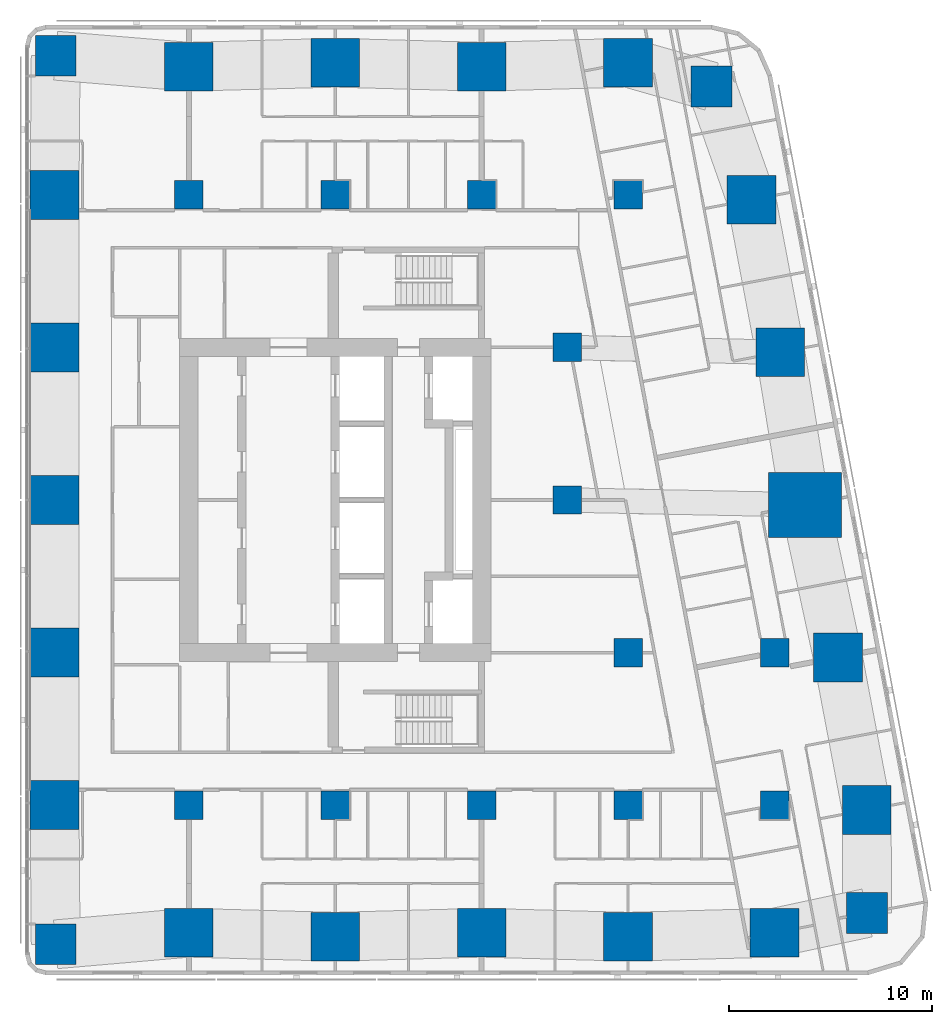
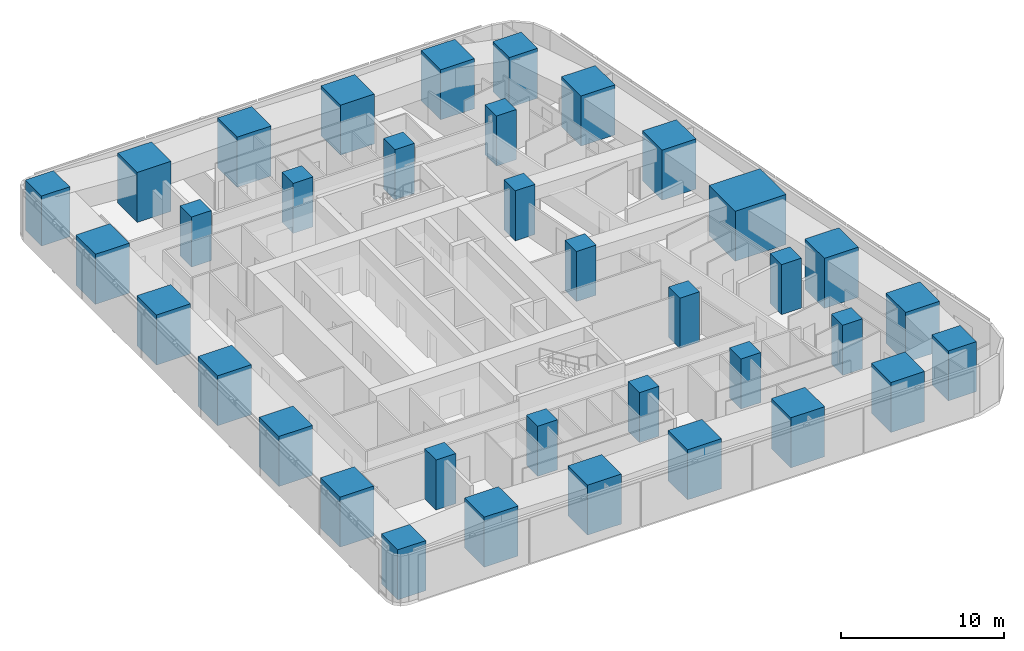
# One storey, part 1 of 19: 36 columns.
"""IFC4 building model written with IfcOpenShell, lengths in metres."""

from ifc_helpers import new_model, si_unit, direction, frame, origin, origin_2d, place, context, subcontext, project, spatial, rectangle, extrude, material, material_profile, profile_set, type_object, element, save


model = new_model("IFC4")

# Units and contexts
model_context = context("Model", 3, precision=1e-05, world=origin(), true_north=direction((0.0, 1.0)))
body_context = subcontext(model_context, "Body", "Model", "MODEL_VIEW")
ifc_project = project(units=[si_unit("LENGTHUNIT", "METRE"), si_unit("AREAUNIT", "SQUARE_METRE"), si_unit("VOLUMEUNIT", "CUBIC_METRE"), si_unit("PLANEANGLEUNIT", "RADIAN"), si_unit("MASSUNIT", "GRAM", prefix="KILO")], contexts=[model_context])

# Site, building, storey
site_placement = place(None, origin())
site = spatial("IfcSite", under=ifc_project, at=site_placement, CompositionType="ELEMENT")
building_placement = place(site_placement, origin())
building = spatial("IfcBuilding", under=site, at=building_placement, Name="Sheger Commons Tower", CompositionType="ELEMENT")
storey_placement = place(building_placement, frame((0.0, 0.0, 197.449951171875)))
storey = spatial("IfcBuildingStorey", under=building, at=storey_placement, Name="L50", CompositionType="ELEMENT", Elevation=197.449951171875)

# Columns
ifc_material_1 = material(Name="Concrete C50/60", Category="concrete")
ifc_material_profile_1 = material_profile(ifc_material_1, rectangle(XDim=3.60009765625, YDim=3.199951171875, at=origin_2d()), Name="RC 3600x3200")
ifc_profile_set_1 = profile_set([ifc_material_profile_1], Name="Concrete C50/60")
column_type_1 = type_object("IfcColumnType", Name="COLUMN PIER RC 3600x3200", PredefinedType="COLUMN", material=ifc_profile_set_1)
column_placement = place(storey_placement, frame((44.697021484375, 22.262939453125, 0.0), z_axis=(0.0, 0.0, 1.0), x_axis=(1.0, 0.0, 0.0)))
element("IfcColumn", 1, at=column_placement, inside=storey, type_object=column_type_1, Name="Pier 7/D+E/D L50", PredefinedType="COLUMN", context=body_context, shape_type="SweptSolid", body=[
    extrude(rectangle(XDim=3.60009765625, YDim=3.199951171875, at=origin_2d()), origin(), (0.0, 0.0, 1.0), 3.75),
])
ifc_material_2 = material(Name="Concrete C50/60", Category="concrete")
ifc_material_profile_2 = material_profile(ifc_material_2, rectangle(XDim=1.39990234375, YDim=1.39990234375, at=origin_2d()), Name="RC 1400x1400")
ifc_profile_set_2 = profile_set([ifc_material_profile_2], Name="Concrete C50/60")
column_type_2 = type_object("IfcColumnType", Name="COLUMN RC 1400x1400", PredefinedType="COLUMN", material=ifc_profile_set_2)
for number, where, z_axis, x_axis, name in (
    (2, (14.39990234375, 7.5, 0.0), (0.0, 0.0, 1.0), (1.0, 0.0, 0.0), "Column 3/B L50"),
    (3, (21.60009765625, 7.5, 0.0), (0.0, 0.0, 1.0), (1.0, 0.0, 0.0), "Column 4/B L50"),
    (4, (28.800048828125, 7.5, 0.0), (0.0, 0.0, 1.0), (1.0, 0.0, 0.0), "Column 5/B L50"),
    (5, (36.0, 7.5, 0.0), (0.0, 0.0, 1.0), (1.0, 0.0, 0.0), "Column 6/B L50"),
    (6, (43.199951171875, 7.5, 0.0), (0.0, 0.0, 1.0), (1.0, 0.0, 0.0), "Column 7/B L50"),
    (7, (36.0, 15.0, 0.0), (0.0, 0.0, 1.0), (1.0, 0.0, 0.0), "Column 6/C L50"),
    (8, (43.199951171875, 15.0, 0.0), (0.0, 0.0, 1.0), (1.0, 0.0, 0.0), "Column 7/C L50"),
    (9, (33.0, 22.5, 0.0), (0.0, 0.0, 1.0), (1.0, 0.0, 0.0), "Column 6-3000/D L50"),
    (10, (33.0, 30.0, 0.0), (0.0, 0.0, 1.0), (1.0, 0.0, 0.0), "Column 6-3000/E L50"),
    (11, (14.39990234375, 37.5, 0.0), (0.0, 0.0, 1.0), (1.0, 0.0, 0.0), "Column 3/F L50"),
    (12, (21.60009765625, 37.5, 0.0), (0.0, 0.0, 1.0), (1.0, 0.0, 0.0), "Column 4/F L50"),
    (13, (28.800048828125, 37.5, 0.0), (0.0, 0.0, 1.0), (1.0, 0.0, 0.0), "Column 5/F L50"),
    (14, (36.0, 37.5, 0.0), (0.0, 0.0, 1.0), (1.0, 0.0, 0.0), "Column 6/F L50"),
):
    element("IfcColumn", number, at=place(storey_placement, frame(where, z_axis=z_axis, x_axis=x_axis)), inside=storey, type_object=column_type_2, Name=name, PredefinedType="COLUMN", context=body_context, shape_type="SweptSolid", body=[
        extrude(rectangle(XDim=1.39990234375, YDim=1.39990234375, at=origin_2d()), origin(), (0.0, 0.0, 1.0), 3.75),
    ])
ifc_material_3 = material(Name="Concrete C50/60", Category="concrete")
ifc_material_profile_3 = material_profile(ifc_material_3, rectangle(XDim=2.0, YDim=2.0, at=origin_2d()), Name="RC 2000x2000")
ifc_profile_set_3 = profile_set([ifc_material_profile_3], Name="Concrete C50/60")
column_type_3 = type_object("IfcColumnType", Name="COLUMN RC 2000x2000", PredefinedType="COLUMN", material=ifc_profile_set_3)
for number, where, z_axis, x_axis, name in (
    (15, (7.85400390625, 0.654052734375, 0.0), (0.0, 0.0, 1.0), (1.0, 0.0, 0.0), "Column 2/A L50"),
    (16, (47.748046875, 2.197021484375, 0.0), (0.0, 0.0, 1.0), (1.0, 0.0, 0.0), "Column 49.461,0.778 L50"),
    (17, (40.10205078125, 42.830078125, 0.0), (0.0, 0.0, 1.0), (1.0, 0.0, 0.0), "Column 41.490,44.505 L50"),
    (18, (7.85400390625, 44.345947265625, 0.0), (0.0, 0.0, 1.0), (1.0, 0.0, 0.0), "Column 2/G L50"),
):
    element("IfcColumn", number, at=place(storey_placement, frame(where, z_axis=z_axis, x_axis=x_axis)), inside=storey, type_object=column_type_3, Name=name, PredefinedType="COLUMN", context=body_context, shape_type="SweptSolid", body=[
        extrude(rectangle(XDim=2.0, YDim=2.0, at=origin_2d()), origin(), (0.0, 0.0, 1.0), 3.75),
    ])
ifc_material_4 = material(Name="Concrete C50/60", Category="concrete")
ifc_material_profile_4 = material_profile(ifc_material_4, rectangle(XDim=2.39990234375, YDim=2.39990234375, at=origin_2d()), Name="RC 2400x2400")
ifc_profile_set_4 = profile_set([ifc_material_profile_4], Name="Concrete C50/60")
column_type_4 = type_object("IfcColumnType", Name="COLUMN RC 2400x2400", PredefinedType="COLUMN", material=ifc_profile_set_4)
for number, where, z_axis, x_axis, name in (
    (19, (14.39990234375, 1.22509765625, 0.0), (0.0, 0.0, 1.0), (1.0, 0.0, 0.0), "Column 3/A L50"),
    (20, (21.60009765625, 1.02490234375, 0.0), (0.0, 0.0, 1.0), (1.0, 0.0, 0.0), "Column 4/A L50"),
    (21, (28.800048828125, 1.22509765625, 0.0), (0.0, 0.0, 1.0), (1.0, 0.0, 0.0), "Column 5/A L50"),
    (22, (36.0, 1.02490234375, 0.0), (0.0, 0.0, 1.0), (1.0, 0.0, 0.0), "Column 6/A L50"),
    (23, (43.199951171875, 1.22509765625, 0.0), (0.0, 0.0, 1.0), (1.0, 0.0, 0.0), "Column 7/A L50"),
    (24, (7.800048828125, 7.5, 0.0), (0.0, 0.0, 1.0), (1.0, 0.0, 0.0), "Column 2/B L50"),
    (25, (47.72998046875, 7.262939453125, 0.0), (0.0, 0.0, 1.0), (1.0, 0.0, 0.0), "Column E/B L50"),
    (26, (7.800048828125, 15.0, 0.0), (0.0, 0.0, 1.0), (1.0, 0.0, 0.0), "Column 2/C L50"),
    (27, (46.31396484375, 14.762939453125, 0.0), (0.0, 0.0, 1.0), (1.0, 0.0, 0.0), "Column E/C L50"),
    (28, (7.800048828125, 22.5, 0.0), (0.0, 0.0, 1.0), (1.0, 0.0, 0.0), "Column 2/D L50"),
    (29, (7.800048828125, 30.0, 0.0), (0.0, 0.0, 1.0), (1.0, 0.0, 0.0), "Column 2/E L50"),
    (30, (43.47998046875, 29.762939453125, 0.0), (0.0, 0.0, 1.0), (1.0, 0.0, 0.0), "Column E/E L50"),
    (31, (7.800048828125, 37.5, 0.0), (0.0, 0.0, 1.0), (1.0, 0.0, 0.0), "Column 2/F L50"),
    (32, (42.06396484375, 37.262939453125, 0.0), (0.0, 0.0, 1.0), (1.0, 0.0, 0.0), "Column E/F L50"),
    (33, (14.39990234375, 43.800048828125, 0.0), (0.0, 0.0, 1.0), (1.0, 0.0, 0.0), "Column 3/G L50"),
    (34, (21.60009765625, 44.0, 0.0), (0.0, 0.0, 1.0), (1.0, 0.0, 0.0), "Column 4/G L50"),
    (35, (28.800048828125, 43.800048828125, 0.0), (0.0, 0.0, 1.0), (1.0, 0.0, 0.0), "Column 5/G L50"),
    (36, (36.0, 44.0, 0.0), (0.0, 0.0, 1.0), (1.0, 0.0, 0.0), "Column 6/G L50"),
):
    element("IfcColumn", number, at=place(storey_placement, frame(where, z_axis=z_axis, x_axis=x_axis)), inside=storey, type_object=column_type_4, Name=name, PredefinedType="COLUMN", context=body_context, shape_type="SweptSolid", body=[
        extrude(rectangle(XDim=2.39990234375, YDim=2.39990234375, at=origin_2d()), origin(), (0.0, 0.0, 1.0), 3.75),
    ])

save(model, "model.ifc")
